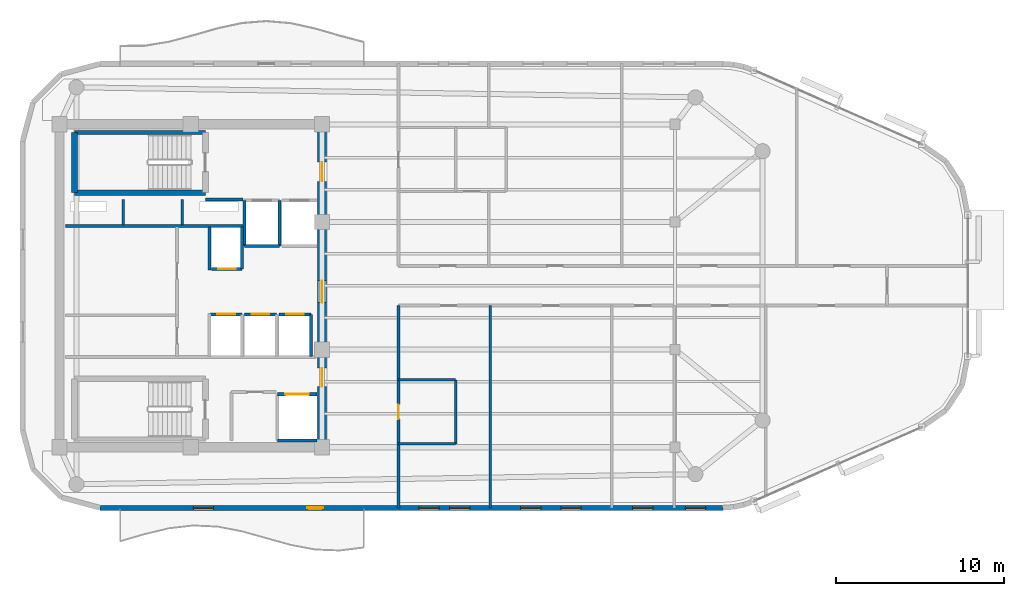
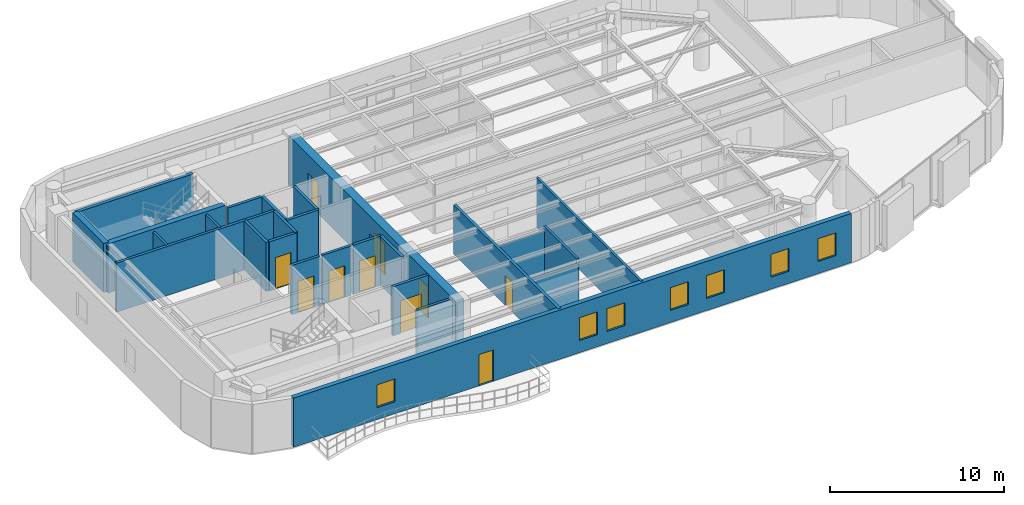
# One storey, part 8 of 14: 26 walls, 10 doors, 7 windows, 17 openings.
"""IFC4 building model written with IfcOpenShell, lengths in metres."""

from ifc_helpers import new_model, si_unit, direction, frame, frame_2d, origin, place, context, subcontext, project, spatial, rectangle, extrude, material, layer, layer_set, type_object, element, fill, save


model = new_model("IFC4")

# Units and contexts
model_context = context("Model", 3, precision=1e-05, world=origin(), true_north=direction((0.0, 1.0)))
body_context = subcontext(model_context, "Body", "Model", "MODEL_VIEW")
ifc_project = project(units=[si_unit("LENGTHUNIT", "METRE"), si_unit("AREAUNIT", "SQUARE_METRE"), si_unit("VOLUMEUNIT", "CUBIC_METRE"), si_unit("PLANEANGLEUNIT", "RADIAN"), si_unit("MASSUNIT", "GRAM", prefix="KILO")], contexts=[model_context])

# Site, building, storey
site_placement = place(None, origin())
site = spatial("IfcSite", under=ifc_project, at=site_placement, CompositionType="ELEMENT")
building_placement = place(site_placement, origin())
building = spatial("IfcBuilding", under=site, at=building_placement, Name="An Khanh Terracotta Commons", CompositionType="ELEMENT")
storey_placement = place(building_placement, frame((0.0, 0.0, 280.699951171875)))
storey = spatial("IfcBuildingStorey", under=building, at=storey_placement, Name="L73", CompositionType="ELEMENT", Elevation=280.699951171875)

# Wall, openings, doors
ifc_material_1 = material(Name="Concrete C50/60", Category="concrete")
ifc_layer_1 = layer(ifc_material_1, 0.550048828125, Name="Concrete C50/60")
ifc_layer_set_1 = layer_set([ifc_layer_1], Name="Concrete C50/60")
wall_type_1 = type_object("IfcWallType", Name="WALL-CORE-550", PredefinedType="SHEAR", material=ifc_layer_set_1)
wall_1_placement = place(storey_placement, frame((37.199951171875, 14.39990234375, 0.0), z_axis=(0.0, 0.0, 1.0), x_axis=(0.0, 1.0, 0.0)))
wall_1 = element("IfcWall", 1, at=wall_1_placement, inside=storey, type_object=wall_type_1, Name="L73 Core Wall CWALL-L73-E", PredefinedType="SHEAR", context=body_context, shape_type="SweptSolid", body=[
    extrude(rectangle(XDim=19.2001953125, YDim=0.550048828125, at=frame_2d((9.60009765625, 0.0))), origin(), (0.0, 0.0, 1.0), 3.449951171875),
])
opening_1_placement = place(wall_1_placement, frame((15.800048828125, 0.0, 0.0)))
opening_1 = element("IfcOpeningElement", 2, at=opening_1_placement, cuts=wall_1, Name="Opening D-FFL", PredefinedType="OPENING", context=body_context, shape_type="SweptSolid", body=[
    extrude(rectangle(XDim=1.14990234375, YDim=2.14990234375, at=frame_2d((0.574951171875, 1.074951171875))), frame((0.0, 0.284912109375, 0.0), z_axis=(0.0, -1.0, 0.0), x_axis=(1.0, 0.0, 0.0)), (0.0, 0.0, 1.0), 0.570068359375),
])
opening_2_placement = place(wall_1_placement, frame((3.60009765625, 0.0, 0.0)))
opening_2 = element("IfcOpeningElement", 3, at=opening_2_placement, cuts=wall_1, Name="Opening D-ST", PredefinedType="OPENING", context=body_context, shape_type="SweptSolid", body=[
    extrude(rectangle(XDim=1.10009765625, YDim=2.14990234375, at=frame_2d((0.550048828125, 1.074951171875))), frame((0.0, 0.284912109375, 0.0), z_axis=(0.0, -1.0, 0.0), x_axis=(1.0, 0.0, 0.0)), (0.0, 0.0, 1.0), 0.570068359375),
])
opening_3_placement = place(wall_1_placement, frame((8.60009765625, 0.0, 0.0)))
opening_3 = element("IfcOpeningElement", 4, at=opening_3_placement, cuts=wall_1, Name="Opening D-COR", PredefinedType="OPENING", context=body_context, shape_type="SweptSolid", body=[
    extrude(rectangle(XDim=1.300048828125, YDim=2.199951171875, at=frame_2d((0.64990234375, 1.10009765625))), frame((0.0, 0.284912109375, 0.0), z_axis=(0.0, -1.0, 0.0), x_axis=(1.0, 0.0, 0.0)), (0.0, 0.0, 1.0), 0.570068359375),
])
ifc_material_2 = material(Name="Fire-Rated Glazed Steel Double Door", Category="steel")
door_type_1 = type_object("IfcDoorType", Name="DOOR-CORR-1300", OperationType="NOTDEFINED", PredefinedType="DOOR", material=ifc_material_2)
door_1_placement = place(opening_3_placement, origin())
door_1 = element("IfcDoor", 5, at=door_1_placement, inside=storey, type_object=door_type_1, Name="L73 Passenger Lift Lobby Double Door", OperationType="DOUBLE_DOOR_SINGLE_SWING", OverallHeight=2.199951171875, OverallWidth=1.300048828125, PredefinedType="DOOR", context=body_context, shape_type="SweptSolid", body=[
    extrude(rectangle(XDim=1.300048828125, YDim=2.199951171875, at=frame_2d((0.64990234375, 1.10009765625))), frame((0.0, 0.02490234375, 0.0), z_axis=(0.0, -1.0, 0.0), x_axis=(1.0, 0.0, 0.0)), (0.0, 0.0, 1.0), 0.050048828125),
])
fill(opening_3, door_1)
ifc_material_3 = material(Name="Fire-Rated Steel Leaf and Vision Panel", Category="steel")
door_type_2 = type_object("IfcDoorType", Name="DOOR-FFL-1150", OperationType="NOTDEFINED", PredefinedType="DOOR", material=ifc_material_3)
door_2_placement = place(opening_1_placement, origin())
door_2 = element("IfcDoor", 6, at=door_2_placement, inside=storey, type_object=door_type_2, Name="L73 Firefighting Lift Lobby Fire Door", OperationType="SINGLE_SWING_RIGHT", OverallHeight=2.14990234375, OverallWidth=1.14990234375, PredefinedType="DOOR", context=body_context, shape_type="SweptSolid", body=[
    extrude(rectangle(XDim=1.14990234375, YDim=2.14990234375, at=frame_2d((0.574951171875, 1.074951171875))), frame((0.0, 0.02490234375, 0.0), z_axis=(0.0, -1.0, 0.0), x_axis=(1.0, 0.0, 0.0)), (0.0, 0.0, 1.0), 0.050048828125),
])
fill(opening_1, door_2)
ifc_material_4 = material(Name="Fire-Rated Steel Leaf and Frame", Category="steel")
door_type_3 = type_object("IfcDoorType", Name="DOOR-STAIR-1100", OperationType="NOTDEFINED", PredefinedType="DOOR", material=ifc_material_4)
door_3_placement = place(opening_2_placement, origin())
door_3 = element("IfcDoor", 7, at=door_3_placement, inside=storey, type_object=door_type_3, Name="L73 South Stair Lobby Fire Door", OperationType="SINGLE_SWING_LEFT", OverallHeight=2.14990234375, OverallWidth=1.10009765625, PredefinedType="DOOR", context=body_context, shape_type="SweptSolid", body=[
    extrude(rectangle(XDim=1.10009765625, YDim=2.14990234375, at=frame_2d((0.550048828125, 1.074951171875))), frame((0.0, 0.02490234375, 0.0), z_axis=(0.0, -1.0, 0.0), x_axis=(1.0, 0.0, 0.0)), (0.0, 0.0, 1.0), 0.050048828125),
])
fill(opening_2, door_3)

# Walls
ifc_material_5 = material(Name="Fire-Rated Gypsum Board on Steel Stud", Category="steel")
ifc_layer_2 = layer(ifc_material_5, 0.179931640625, Name="Fire-Rated Gypsum Board on Steel Stud")
ifc_layer_set_2 = layer_set([ifc_layer_2], Name="Fire-Rated Gypsum Board on Steel Stud")
wall_type_2 = type_object("IfcWallType", Name="WALL-CORR-180", PredefinedType="PARTITIONING", material=ifc_layer_set_2)
wall_2_placement = place(storey_placement, frame((30.27001953125, 29.1201171875, 0.0), z_axis=(0.0, 0.0, 1.0), x_axis=(1.0, 0.0, 0.0)))
element("IfcWall", 8, at=wall_2_placement, inside=storey, type_object=wall_type_2, Name="L73 Core Wall FFLW-L73-S", PredefinedType="PARTITIONING", context=body_context, shape_type="SweptSolid", body=[
    extrude(rectangle(XDim=2.239990234375, YDim=0.179931640625, at=frame_2d((1.1201171875, 0.0))), origin(), (0.0, 0.0, 1.0), 3.449951171875),
])
wall_3_placement = place(storey_placement, frame((21.949951171875, 27.5400390625, 0.0), z_axis=(0.0, 0.0, 1.0), x_axis=(1.0, 0.0, 0.0)))
element("IfcWall", 9, at=wall_3_placement, inside=storey, type_object=wall_type_2, Name="L73 Core Wall RSRW-L73-S", PredefinedType="PARTITIONING", context=body_context, shape_type="SweptSolid", body=[
    extrude(rectangle(XDim=10.56005859375, YDim=0.179931640625, at=frame_2d((5.280029296875, 0.0))), origin(), (0.0, 0.0, 1.0), 3.449951171875),
])
wall_4_placement = place(storey_placement, frame((34.679931640625, 26.35009765625, 0.0), z_axis=(0.0, 0.0, 1.0), x_axis=(-1.0, 0.0, 0.0)))
element("IfcWall", 10, at=wall_4_placement, inside=storey, type_object=wall_type_2, Name="L73 Core Wall LSH-L73-FFL-01-S", PredefinedType="PARTITIONING", context=body_context, shape_type="SweptSolid", body=[
    extrude(rectangle(XDim=2.079833984375, YDim=0.179931640625, at=frame_2d((1.0400390625, 0.0))), origin(), (0.0, 0.0, 1.0), 3.449951171875),
])
for number, where, z_axis, x_axis, name in (
    (11, (34.679931640625, 26.35009765625, 0.0), (0.0, 0.0, 1.0), (0.0, 1.0, 0.0), "L73 Core Wall LSH-L73-FFL-01-E"),
    (12, (32.60009765625, 29.080078125, 0.0), (0.0, 0.0, 1.0), (0.0, -1.0, 0.0), "L73 Core Wall LSH-L73-FFL-01-W"),
):
    element("IfcWall", number, at=place(storey_placement, frame(where, z_axis=z_axis, x_axis=x_axis)), inside=storey, type_object=wall_type_2, Name=name, PredefinedType="PARTITIONING", context=body_context, shape_type="SweptSolid", body=[
        extrude(rectangle(XDim=2.72998046875, YDim=0.179931640625, at=frame_2d((1.364990234375, 0.0))), origin(), (0.0, 0.0, 1.0), 3.449951171875),
    ])

# Wall, opening, door
wall_5_placement = place(storey_placement, frame((34.550048828125, 17.550048828125, 0.0), z_axis=(0.0, 0.0, 1.0), x_axis=(1.0, 0.0, 0.0)))
wall_5 = element("IfcWall", 13, at=wall_5_placement, inside=storey, type_object=wall_type_2, Name="L73 Core Wall LSH-L73-SVL-01-N", PredefinedType="PARTITIONING", context=body_context, shape_type="SweptSolid", body=[
    extrude(rectangle(XDim=2.349853515625, YDim=0.179931640625, at=frame_2d((1.1748046875, 0.0))), origin(), (0.0, 0.0, 1.0), 3.449951171875),
])
opening_4_placement = place(wall_5_placement, frame((0.47509765625, 0.0, 0.0)))
opening_4 = element("IfcOpeningElement", 14, at=opening_4_placement, cuts=wall_5, Name="Opening LD-SVL-01-L73", PredefinedType="OPENING", context=body_context, shape_type="SweptSolid", body=[
    extrude(rectangle(XDim=1.39990234375, YDim=2.300048828125, at=frame_2d((0.699951171875, 1.14990234375))), frame((0.0, 0.099853515625, 0.0), z_axis=(0.0, -1.0, 0.0), x_axis=(1.0, 0.0, 0.0)), (0.0, 0.0, 1.0), 0.199951171875),
])
ifc_material_6 = material(Name="Heavy-Duty Stainless Steel Goods Landing Door", Category="steel")
door_type_4 = type_object("IfcDoorType", Name="DOOR-LD-SVL-1400", OperationType="NOTDEFINED", PredefinedType="DOOR", material=ifc_material_6)
door_4_placement = place(opening_4_placement, origin())
door_4 = element("IfcDoor", 15, at=door_4_placement, inside=storey, type_object=door_type_4, Name="L73 Lift SVL-01 Sliding Landing Door", OperationType="DOUBLE_DOOR_SLIDING", OverallHeight=2.300048828125, OverallWidth=1.39990234375, PredefinedType="DOOR", context=body_context, shape_type="SweptSolid", body=[
    extrude(rectangle(XDim=1.39990234375, YDim=2.300048828125, at=frame_2d((0.699951171875, 1.14990234375))), frame((0.0, 0.02490234375, 0.0), z_axis=(0.0, -1.0, 0.0), x_axis=(1.0, 0.0, 0.0)), (0.0, 0.0, 1.0), 0.050048828125),
])
fill(opening_4, door_4)

# Wall
wall_6_placement = place(storey_placement, frame((36.89990234375, 14.800048828125, 0.0), z_axis=(0.0, 0.0, 1.0), x_axis=(-1.0, 0.0, 0.0)))
element("IfcWall", 16, at=wall_6_placement, inside=storey, type_object=wall_type_2, Name="L73 Core Wall LSH-L73-SVL-01-S", PredefinedType="PARTITIONING", context=body_context, shape_type="SweptSolid", body=[
    extrude(rectangle(XDim=2.349853515625, YDim=0.179931640625, at=frame_2d((1.1748046875, 0.0))), origin(), (0.0, 0.0, 1.0), 3.449951171875),
])

# Wall, opening, door
wall_7_placement = place(storey_placement, frame((32.4599609375, 25.0, 0.0), z_axis=(0.0, 0.0, 1.0), x_axis=(-1.0, 0.0, 0.0)))
wall_7 = element("IfcWall", 17, at=wall_7_placement, inside=storey, type_object=wall_type_2, Name="L73 Core Wall LSH-L73-PL-H1-S", PredefinedType="PARTITIONING", context=body_context, shape_type="SweptSolid", body=[
    extrude(rectangle(XDim=1.820068359375, YDim=0.179931640625, at=frame_2d((0.91015625, 0.0))), origin(), (0.0, 0.0, 1.0), 3.449951171875),
])
opening_5_placement = place(wall_7_placement, frame((0.385009765625, 0.0, 0.0)))
opening_5 = element("IfcOpeningElement", 18, at=opening_5_placement, cuts=wall_7, Name="Opening LD-PL-H1-L73", PredefinedType="OPENING", context=body_context, shape_type="SweptSolid", body=[
    extrude(rectangle(XDim=1.050048828125, YDim=2.199951171875, at=frame_2d((0.52490234375, 1.10009765625))), frame((0.0, 0.099853515625, 0.0), z_axis=(0.0, -1.0, 0.0), x_axis=(1.0, 0.0, 0.0)), (0.0, 0.0, 1.0), 0.199951171875),
])
ifc_material_7 = material(Name="Brushed Stainless Steel High-Rise Landing Door", Category="steel")
door_type_5 = type_object("IfcDoorType", Name="DOOR-LD-PAXH-1050", OperationType="NOTDEFINED", PredefinedType="DOOR", material=ifc_material_7)
door_5_placement = place(opening_5_placement, origin())
door_5 = element("IfcDoor", 19, at=door_5_placement, inside=storey, type_object=door_type_5, Name="L73 Lift PL-H1 Sliding Landing Door", OperationType="DOUBLE_DOOR_SLIDING", OverallHeight=2.199951171875, OverallWidth=1.050048828125, PredefinedType="DOOR", context=body_context, shape_type="SweptSolid", body=[
    extrude(rectangle(XDim=1.050048828125, YDim=2.199951171875, at=frame_2d((0.52490234375, 1.10009765625))), frame((0.0, 0.02490234375, 0.0), z_axis=(0.0, -1.0, 0.0), x_axis=(1.0, 0.0, 0.0)), (0.0, 0.0, 1.0), 0.050048828125),
])
fill(opening_5, door_5)

# Wall
wall_8_placement = place(storey_placement, frame((32.4599609375, 25.0, 0.0), z_axis=(0.0, 0.0, 1.0), x_axis=(0.0, 1.0, 0.0)))
element("IfcWall", 20, at=wall_8_placement, inside=storey, type_object=wall_type_2, Name="L73 Core Wall LSH-L73-PL-H1-E", PredefinedType="PARTITIONING", context=body_context, shape_type="SweptSolid", body=[
    extrude(rectangle(XDim=2.5, YDim=0.179931640625, at=frame_2d((1.25, 0.0))), origin(), (0.0, 0.0, 1.0), 3.449951171875),
])

# Wall, opening, door
wall_9_placement = place(storey_placement, frame((30.56005859375, 22.300048828125, 0.0), z_axis=(0.0, 0.0, 1.0), x_axis=(1.0, 0.0, 0.0)))
wall_9 = element("IfcWall", 21, at=wall_9_placement, inside=storey, type_object=wall_type_2, Name="L73 Core Wall LSH-L73-PL-H2-N", PredefinedType="PARTITIONING", context=body_context, shape_type="SweptSolid", body=[
    extrude(rectangle(XDim=1.89990234375, YDim=0.179931640625, at=frame_2d((0.949951171875, 0.0))), origin(), (0.0, 0.0, 1.0), 3.449951171875),
])
opening_6_placement = place(wall_9_placement, frame((0.425048828125, 0.0, 0.0)))
opening_6 = element("IfcOpeningElement", 22, at=opening_6_placement, cuts=wall_9, Name="Opening LD-PL-H2-L73", PredefinedType="OPENING", context=body_context, shape_type="SweptSolid", body=[
    extrude(rectangle(XDim=1.050048828125, YDim=2.199951171875, at=frame_2d((0.52490234375, 1.10009765625))), frame((0.0, 0.099853515625, 0.0), z_axis=(0.0, -1.0, 0.0), x_axis=(1.0, 0.0, 0.0)), (0.0, 0.0, 1.0), 0.199951171875),
])
door_6_placement = place(opening_6_placement, origin())
door_6 = element("IfcDoor", 23, at=door_6_placement, inside=storey, type_object=door_type_5, Name="L73 Lift PL-H2 Sliding Landing Door", OperationType="DOUBLE_DOOR_SLIDING", OverallHeight=2.199951171875, OverallWidth=1.050048828125, PredefinedType="DOOR", context=body_context, shape_type="SweptSolid", body=[
    extrude(rectangle(XDim=1.050048828125, YDim=2.199951171875, at=frame_2d((0.52490234375, 1.10009765625))), frame((0.0, 0.02490234375, 0.0), z_axis=(0.0, -1.0, 0.0), x_axis=(1.0, 0.0, 0.0)), (0.0, 0.0, 1.0), 0.050048828125),
])
fill(opening_6, door_6)

wall_10_placement = place(storey_placement, frame((32.60009765625, 22.300048828125, 0.0), z_axis=(0.0, 0.0, 1.0), x_axis=(1.0, 0.0, 0.0)))
wall_10 = element("IfcWall", 24, at=wall_10_placement, inside=storey, type_object=wall_type_2, Name="L73 Core Wall LSH-L73-PL-H3-N", PredefinedType="PARTITIONING", context=body_context, shape_type="SweptSolid", body=[
    extrude(rectangle(XDim=1.89990234375, YDim=0.179931640625, at=frame_2d((0.949951171875, 0.0))), origin(), (0.0, 0.0, 1.0), 3.449951171875),
])
opening_7_placement = place(wall_10_placement, frame((0.425048828125, 0.0, 0.0)))
opening_7 = element("IfcOpeningElement", 25, at=opening_7_placement, cuts=wall_10, Name="Opening LD-PL-H3-L73", PredefinedType="OPENING", context=body_context, shape_type="SweptSolid", body=[
    extrude(rectangle(XDim=1.050048828125, YDim=2.199951171875, at=frame_2d((0.52490234375, 1.10009765625))), frame((0.0, 0.099853515625, 0.0), z_axis=(0.0, -1.0, 0.0), x_axis=(1.0, 0.0, 0.0)), (0.0, 0.0, 1.0), 0.199951171875),
])
door_7_placement = place(opening_7_placement, origin())
door_7 = element("IfcDoor", 26, at=door_7_placement, inside=storey, type_object=door_type_5, Name="L73 Lift PL-H3 Sliding Landing Door", OperationType="DOUBLE_DOOR_SLIDING", OverallHeight=2.199951171875, OverallWidth=1.050048828125, PredefinedType="DOOR", context=body_context, shape_type="SweptSolid", body=[
    extrude(rectangle(XDim=1.050048828125, YDim=2.199951171875, at=frame_2d((0.52490234375, 1.10009765625))), frame((0.0, 0.02490234375, 0.0), z_axis=(0.0, -1.0, 0.0), x_axis=(1.0, 0.0, 0.0)), (0.0, 0.0, 1.0), 0.050048828125),
])
fill(opening_7, door_7)

wall_11_placement = place(storey_placement, frame((34.639892578125, 22.300048828125, 0.0), z_axis=(0.0, 0.0, 1.0), x_axis=(1.0, 0.0, 0.0)))
wall_11 = element("IfcWall", 27, at=wall_11_placement, inside=storey, type_object=wall_type_2, Name="L73 Core Wall LSH-L73-PL-H4-N", PredefinedType="PARTITIONING", context=body_context, shape_type="SweptSolid", body=[
    extrude(rectangle(XDim=1.900146484375, YDim=0.179931640625, at=frame_2d((0.9501953125, 0.0))), origin(), (0.0, 0.0, 1.0), 3.449951171875),
])
opening_8_placement = place(wall_11_placement, frame((0.425048828125, 0.0, 0.0)))
opening_8 = element("IfcOpeningElement", 28, at=opening_8_placement, cuts=wall_11, Name="Opening LD-PL-H4-L73", PredefinedType="OPENING", context=body_context, shape_type="SweptSolid", body=[
    extrude(rectangle(XDim=1.050048828125, YDim=2.199951171875, at=frame_2d((0.52490234375, 1.10009765625))), frame((0.0, 0.099853515625, 0.0), z_axis=(0.0, -1.0, 0.0), x_axis=(1.0, 0.0, 0.0)), (0.0, 0.0, 1.0), 0.199951171875),
])
door_8_placement = place(opening_8_placement, origin())
door_8 = element("IfcDoor", 29, at=door_8_placement, inside=storey, type_object=door_type_5, Name="L73 Lift PL-H4 Sliding Landing Door", OperationType="DOUBLE_DOOR_SLIDING", OverallHeight=2.199951171875, OverallWidth=1.050048828125, PredefinedType="DOOR", context=body_context, shape_type="SweptSolid", body=[
    extrude(rectangle(XDim=1.050048828125, YDim=2.199951171875, at=frame_2d((0.52490234375, 1.10009765625))), frame((0.0, 0.02490234375, 0.0), z_axis=(0.0, -1.0, 0.0), x_axis=(1.0, 0.0, 0.0)), (0.0, 0.0, 1.0), 0.050048828125),
])
fill(opening_8, door_8)

# Walls
wall_12_placement = place(storey_placement, frame((36.5400390625, 19.800048828125, 0.0), z_axis=(0.0, 0.0, 1.0), x_axis=(0.0, 1.0, 0.0)))
element("IfcWall", 30, at=wall_12_placement, inside=storey, type_object=wall_type_2, Name="L73 Core Wall LSH-L73-PL-H4-E", PredefinedType="PARTITIONING", context=body_context, shape_type="SweptSolid", body=[
    extrude(rectangle(XDim=2.5, YDim=0.179931640625, at=frame_2d((1.25, 0.0))), origin(), (0.0, 0.0, 1.0), 3.449951171875),
])
wall_13_placement = place(storey_placement, frame((30.52001953125, 24.949951171875, 0.0), z_axis=(0.0, 0.0, 1.0), x_axis=(0.0, 1.0, 0.0)))
element("IfcWall", 31, at=wall_13_placement, inside=storey, type_object=wall_type_2, Name="L73 Core Wall RECW-L73-BE1", PredefinedType="PARTITIONING", context=body_context, shape_type="SweptSolid", body=[
    extrude(rectangle(XDim=2.550048828125, YDim=0.179931640625, at=frame_2d((1.27490234375, 0.0))), origin(), (0.0, 0.0, 1.0), 3.449951171875),
])

# Wall, opening, door
wall_14_placement = place(storey_placement, frame((41.75, 10.800048828125, 0.0), z_axis=(0.0, 0.0, 1.0), x_axis=(0.0, 1.0, 0.0)))
wall_14 = element("IfcWall", 32, at=wall_14_placement, inside=storey, type_object=wall_type_2, Name="L73 Interior Partition IW-L73-E007", PredefinedType="PARTITIONING", context=body_context, shape_type="SweptSolid", body=[
    extrude(rectangle(XDim=12.02001953125, YDim=0.179931640625, at=frame_2d((6.010009765625, 0.0))), origin(), (0.0, 0.0, 1.0), 3.449951171875),
])
opening_9_placement = place(wall_14_placement, frame((5.27001953125, 0.0, 0.0)))
opening_9 = element("IfcOpeningElement", 33, at=opening_9_placement, cuts=wall_14, Name="Opening D-ENS", PredefinedType="OPENING", context=body_context, shape_type="SweptSolid", body=[
    extrude(rectangle(XDim=0.860107421875, YDim=2.10009765625, at=frame_2d((0.43017578125, 1.050048828125))), frame((0.0, 0.099853515625, 0.0), z_axis=(0.0, -1.0, 0.0), x_axis=(1.0, 0.0, 0.0)), (0.0, 0.0, 1.0), 0.199951171875),
])
ifc_material_8 = material(Name="Moisture-Resistant Hardwood Timber Leaf", Category="wood")
door_type_6 = type_object("IfcDoorType", Name="DOOR-BATH-860", OperationType="NOTDEFINED", PredefinedType="DOOR", material=ifc_material_8)
door_9_placement = place(opening_9_placement, origin())
door_9 = element("IfcDoor", 34, at=door_9_placement, inside=storey, type_object=door_type_6, Name="L73 SHW Resident Shared Shower and Washroom Door", OperationType="SINGLE_SWING_RIGHT", OverallHeight=2.10009765625, OverallWidth=0.860107421875, PredefinedType="DOOR", context=body_context, shape_type="SweptSolid", body=[
    extrude(rectangle(XDim=0.860107421875, YDim=2.10009765625, at=frame_2d((0.43017578125, 1.050048828125))), frame((0.0, 0.02490234375, 0.0), z_axis=(0.0, -1.0, 0.0), x_axis=(1.0, 0.0, 0.0)), (0.0, 0.0, 1.0), 0.050048828125),
])
fill(opening_9, door_9)

# Wall, openings, door, windows
ifc_material_9 = material(Name="Precast concrete C40/50", Category="concrete")
ifc_layer_3 = layer(ifc_material_9, 0.300048828125, Name="Precast concrete C40/50")
ifc_layer_set_3 = layer_set([ifc_layer_3], Name="Precast concrete C40/50")
wall_type_3 = type_object("IfcWallType", Name="WALL-EXT-300", PredefinedType="SOLIDWALL", material=ifc_layer_set_3)
wall_15_placement = place(storey_placement, frame((24.0, 10.800048828125, 0.0), z_axis=(0.0, 0.0, 1.0), x_axis=(1.0, 0.0, 0.0)))
wall_15 = element("IfcWall", 35, at=wall_15_placement, inside=storey, type_object=wall_type_3, Name="L73 Insulated Terracotta Exterior Wall 4", PredefinedType="SOLIDWALL", context=body_context, shape_type="SweptSolid", body=[
    extrude(rectangle(XDim=37.030029296875, YDim=0.300048828125, at=frame_2d((18.51513671875, 0.0))), origin(), (0.0, 0.0, 1.0), 3.449951171875),
])
opening_10_placement = place(wall_15_placement, frame((12.324951171875, 0.0, 0.0)))
opening_10 = element("IfcOpeningElement", 36, at=opening_10_placement, cuts=wall_15, Name="Opening D-BAL", PredefinedType="OPENING", context=body_context, shape_type="SweptSolid", body=[
    extrude(rectangle(XDim=0.949951171875, YDim=2.199951171875, at=frame_2d((0.47509765625, 1.10009765625))), frame((0.0, 0.159912109375, 0.0), z_axis=(0.0, -1.0, 0.0), x_axis=(1.0, 0.0, 0.0)), (0.0, 0.0, 1.0), 0.320068359375),
])
opening_11_placement = place(wall_15_placement, frame((5.550048828125, 0.0, 0.85009765625)))
opening_11 = element("IfcOpeningElement", 37, at=opening_11_placement, cuts=wall_15, Name="Opening W-05", PredefinedType="OPENING", context=body_context, shape_type="SweptSolid", body=[
    extrude(rectangle(XDim=1.199951171875, YDim=1.60009765625, at=frame_2d((0.60009765625, 0.800048828125))), frame((0.0, 0.159912109375, 0.0), z_axis=(0.0, -1.0, 0.0), x_axis=(1.0, 0.0, 0.0)), (0.0, 0.0, 1.0), 0.320068359375),
])
opening_12_placement = place(wall_15_placement, frame((18.969970703125, 0.0, 0.85009765625)))
opening_12 = element("IfcOpeningElement", 38, at=opening_12_placement, cuts=wall_15, Name="Opening W-05", PredefinedType="OPENING", context=body_context, shape_type="SweptSolid", body=[
    extrude(rectangle(XDim=1.199951171875, YDim=1.60009765625, at=frame_2d((0.60009765625, 0.800048828125))), frame((0.0, 0.159912109375, 0.0), z_axis=(0.0, -1.0, 0.0), x_axis=(1.0, 0.0, 0.0)), (0.0, 0.0, 1.0), 0.320068359375),
])
opening_13_placement = place(wall_15_placement, frame((20.791015625, 0.0, 0.85009765625)))
opening_13 = element("IfcOpeningElement", 39, at=opening_13_placement, cuts=wall_15, Name="Opening W-05", PredefinedType="OPENING", context=body_context, shape_type="SweptSolid", body=[
    extrude(rectangle(XDim=1.199951171875, YDim=1.60009765625, at=frame_2d((0.60009765625, 0.800048828125))), frame((0.0, 0.159912109375, 0.0), z_axis=(0.0, -1.0, 0.0), x_axis=(1.0, 0.0, 0.0)), (0.0, 0.0, 1.0), 0.320068359375),
])
opening_14_placement = place(wall_15_placement, frame((25.012939453125, 0.0, 0.85009765625)))
opening_14 = element("IfcOpeningElement", 40, at=opening_14_placement, cuts=wall_15, Name="Opening W-05", PredefinedType="OPENING", context=body_context, shape_type="SweptSolid", body=[
    extrude(rectangle(XDim=1.199951171875, YDim=1.60009765625, at=frame_2d((0.60009765625, 0.800048828125))), frame((0.0, 0.159912109375, 0.0), z_axis=(0.0, -1.0, 0.0), x_axis=(1.0, 0.0, 0.0)), (0.0, 0.0, 1.0), 0.320068359375),
])
opening_15_placement = place(wall_15_placement, frame((27.416015625, 0.0, 0.85009765625)))
opening_15 = element("IfcOpeningElement", 41, at=opening_15_placement, cuts=wall_15, Name="Opening W-05", PredefinedType="OPENING", context=body_context, shape_type="SweptSolid", body=[
    extrude(rectangle(XDim=1.199951171875, YDim=1.60009765625, at=frame_2d((0.60009765625, 0.800048828125))), frame((0.0, 0.159912109375, 0.0), z_axis=(0.0, -1.0, 0.0), x_axis=(1.0, 0.0, 0.0)), (0.0, 0.0, 1.0), 0.320068359375),
])
opening_16_placement = place(wall_15_placement, frame((31.675048828125, 0.0, 0.85009765625)))
opening_16 = element("IfcOpeningElement", 42, at=opening_16_placement, cuts=wall_15, Name="Opening W-05", PredefinedType="OPENING", context=body_context, shape_type="SweptSolid", body=[
    extrude(rectangle(XDim=1.199951171875, YDim=1.60009765625, at=frame_2d((0.60009765625, 0.800048828125))), frame((0.0, 0.159912109375, 0.0), z_axis=(0.0, -1.0, 0.0), x_axis=(1.0, 0.0, 0.0)), (0.0, 0.0, 1.0), 0.320068359375),
])
opening_17_placement = place(wall_15_placement, frame((34.805908203125, 0.0, 0.85009765625)))
opening_17 = element("IfcOpeningElement", 43, at=opening_17_placement, cuts=wall_15, Name="Opening W-05", PredefinedType="OPENING", context=body_context, shape_type="SweptSolid", body=[
    extrude(rectangle(XDim=1.199951171875, YDim=1.60009765625, at=frame_2d((0.60009765625, 0.800048828125))), frame((0.0, 0.159912109375, 0.0), z_axis=(0.0, -1.0, 0.0), x_axis=(1.0, 0.0, 0.0)), (0.0, 0.0, 1.0), 0.320068359375),
])
ifc_material_10 = material(Name="Thermally Broken Aluminium and Low-E Glass", Category="aluminium")
door_type_7 = type_object("IfcDoorType", Name="DOOR-BALC-950", OperationType="NOTDEFINED", PredefinedType="DOOR", material=ifc_material_10)
door_10_placement = place(opening_10_placement, origin())
door_10 = element("IfcDoor", 44, at=door_10_placement, inside=storey, type_object=door_type_7, Name="L73 S Wave Balcony Glazed Door", OperationType="SINGLE_SWING_LEFT", OverallHeight=2.199951171875, OverallWidth=0.949951171875, PredefinedType="DOOR", context=body_context, shape_type="SweptSolid", body=[
    extrude(rectangle(XDim=0.949951171875, YDim=2.199951171875, at=frame_2d((0.47509765625, 1.10009765625))), frame((0.0, 0.02490234375, 0.0), z_axis=(0.0, -1.0, 0.0), x_axis=(1.0, 0.0, 0.0)), (0.0, 0.0, 1.0), 0.050048828125),
])
fill(opening_10, door_10)
window_type = type_object("IfcWindowType", Name="WIN-Z5-1200x1600", PartitioningType="SINGLE_PANEL", PredefinedType="WINDOW", material=ifc_material_10)
window_1_placement = place(opening_11_placement, origin())
window_1 = element("IfcWindow", 45, at=window_1_placement, inside=storey, type_object=window_type, Name="L73 Operable Casement Window 4.1", OverallHeight=1.60009765625, OverallWidth=1.199951171875, PartitioningType="SINGLE_PANEL", PredefinedType="WINDOW", context=body_context, shape_type="SweptSolid", body=[
    extrude(rectangle(XDim=1.199951171875, YDim=1.60009765625, at=frame_2d((0.60009765625, 0.800048828125))), frame((0.0, 0.030029296875, 0.0), z_axis=(0.0, -1.0, 0.0), x_axis=(1.0, 0.0, 0.0)), (0.0, 0.0, 1.0), 0.06005859375),
])
fill(opening_11, window_1)
window_2_placement = place(opening_12_placement, origin())
window_2 = element("IfcWindow", 46, at=window_2_placement, inside=storey, type_object=window_type, Name="L73 Operable Casement Window 4.2", OverallHeight=1.60009765625, OverallWidth=1.199951171875, PartitioningType="SINGLE_PANEL", PredefinedType="WINDOW", context=body_context, shape_type="SweptSolid", body=[
    extrude(rectangle(XDim=1.199951171875, YDim=1.60009765625, at=frame_2d((0.60009765625, 0.800048828125))), frame((0.0, 0.030029296875, 0.0), z_axis=(0.0, -1.0, 0.0), x_axis=(1.0, 0.0, 0.0)), (0.0, 0.0, 1.0), 0.06005859375),
])
fill(opening_12, window_2)
window_3_placement = place(opening_13_placement, origin())
window_3 = element("IfcWindow", 47, at=window_3_placement, inside=storey, type_object=window_type, Name="L73 Operable Casement Window 4.3", OverallHeight=1.60009765625, OverallWidth=1.199951171875, PartitioningType="SINGLE_PANEL", PredefinedType="WINDOW", context=body_context, shape_type="SweptSolid", body=[
    extrude(rectangle(XDim=1.199951171875, YDim=1.60009765625, at=frame_2d((0.60009765625, 0.800048828125))), frame((0.0, 0.030029296875, 0.0), z_axis=(0.0, -1.0, 0.0), x_axis=(1.0, 0.0, 0.0)), (0.0, 0.0, 1.0), 0.06005859375),
])
fill(opening_13, window_3)
window_4_placement = place(opening_14_placement, origin())
window_4 = element("IfcWindow", 48, at=window_4_placement, inside=storey, type_object=window_type, Name="L73 Operable Casement Window 4.4", OverallHeight=1.60009765625, OverallWidth=1.199951171875, PartitioningType="SINGLE_PANEL", PredefinedType="WINDOW", context=body_context, shape_type="SweptSolid", body=[
    extrude(rectangle(XDim=1.199951171875, YDim=1.60009765625, at=frame_2d((0.60009765625, 0.800048828125))), frame((0.0, 0.030029296875, 0.0), z_axis=(0.0, -1.0, 0.0), x_axis=(1.0, 0.0, 0.0)), (0.0, 0.0, 1.0), 0.06005859375),
])
fill(opening_14, window_4)
window_5_placement = place(opening_15_placement, origin())
window_5 = element("IfcWindow", 49, at=window_5_placement, inside=storey, type_object=window_type, Name="L73 Operable Casement Window 4.5", OverallHeight=1.60009765625, OverallWidth=1.199951171875, PartitioningType="SINGLE_PANEL", PredefinedType="WINDOW", context=body_context, shape_type="SweptSolid", body=[
    extrude(rectangle(XDim=1.199951171875, YDim=1.60009765625, at=frame_2d((0.60009765625, 0.800048828125))), frame((0.0, 0.030029296875, 0.0), z_axis=(0.0, -1.0, 0.0), x_axis=(1.0, 0.0, 0.0)), (0.0, 0.0, 1.0), 0.06005859375),
])
fill(opening_15, window_5)
window_6_placement = place(opening_16_placement, origin())
window_6 = element("IfcWindow", 50, at=window_6_placement, inside=storey, type_object=window_type, Name="L73 Operable Casement Window 4.6", OverallHeight=1.60009765625, OverallWidth=1.199951171875, PartitioningType="SINGLE_PANEL", PredefinedType="WINDOW", context=body_context, shape_type="SweptSolid", body=[
    extrude(rectangle(XDim=1.199951171875, YDim=1.60009765625, at=frame_2d((0.60009765625, 0.800048828125))), frame((0.0, 0.030029296875, 0.0), z_axis=(0.0, -1.0, 0.0), x_axis=(1.0, 0.0, 0.0)), (0.0, 0.0, 1.0), 0.06005859375),
])
fill(opening_16, window_6)
window_7_placement = place(opening_17_placement, origin())
window_7 = element("IfcWindow", 51, at=window_7_placement, inside=storey, type_object=window_type, Name="L73 Operable Casement Window 4.7", OverallHeight=1.60009765625, OverallWidth=1.199951171875, PartitioningType="SINGLE_PANEL", PredefinedType="WINDOW", context=body_context, shape_type="SweptSolid", body=[
    extrude(rectangle(XDim=1.199951171875, YDim=1.60009765625, at=frame_2d((0.60009765625, 0.800048828125))), frame((0.0, 0.030029296875, 0.0), z_axis=(0.0, -1.0, 0.0), x_axis=(1.0, 0.0, 0.0)), (0.0, 0.0, 1.0), 0.06005859375),
])
fill(opening_17, window_7)

# Walls
ifc_material_11 = material(Name="Acoustic Gypsum Board Partition")
ifc_layer_4 = layer(ifc_material_11, 0.14990234375, Name="Acoustic Gypsum Board Partition")
ifc_layer_set_4 = layer_set([ifc_layer_4], Name="Acoustic Gypsum Board Partition")
wall_type_4 = type_object("IfcWallType", Name="WALL-PART-150", PredefinedType="PARTITIONING", material=ifc_layer_set_4)
for number, where, z_axis, x_axis, name in (
    (52, (25.39990234375, 27.60009765625, 0.0), (0.0, 0.0, 1.0), (0.0, 1.0, 0.0), "L73 Core Wall RSRW-L73-D1"),
    (53, (28.89990234375, 27.60009765625, 0.0), (0.0, 0.0, 1.0), (0.0, 1.0, 0.0), "L73 Core Wall RSRW-L73-D2"),
):
    element("IfcWall", number, at=place(storey_placement, frame(where, z_axis=z_axis, x_axis=x_axis)), inside=storey, type_object=wall_type_4, Name=name, PredefinedType="PARTITIONING", context=body_context, shape_type="SweptSolid", body=[
        extrude(rectangle(XDim=1.52001953125, YDim=0.14990234375, at=frame_2d((0.760009765625, 0.0))), origin(), (0.0, 0.0, 1.0), 3.449951171875),
    ])
wall_16_placement = place(storey_placement, frame((41.75, 14.60009765625, 0.0), z_axis=(0.0, 0.0, 1.0), x_axis=(1.0, 0.0, 0.0)))
element("IfcWall", 54, at=wall_16_placement, inside=storey, type_object=wall_type_4, Name="L73 Interior Partition IW-L73-E001", PredefinedType="PARTITIONING", context=body_context, shape_type="SweptSolid", body=[
    extrude(rectangle(XDim=3.39990234375, YDim=0.14990234375, at=frame_2d((1.699951171875, 0.0))), origin(), (0.0, 0.0, 1.0), 3.092041015625),
])
wall_17_placement = place(storey_placement, frame((41.75, 18.39990234375, 0.0), z_axis=(0.0, 0.0, 1.0), x_axis=(1.0, 0.0, 0.0)))
element("IfcWall", 55, at=wall_17_placement, inside=storey, type_object=wall_type_4, Name="L73 Interior Partition IW-L73-E002", PredefinedType="PARTITIONING", context=body_context, shape_type="SweptSolid", body=[
    extrude(rectangle(XDim=3.39990234375, YDim=0.14990234375, at=frame_2d((1.699951171875, 0.0))), origin(), (0.0, 0.0, 1.0), 3.132080078125),
])
wall_18_placement = place(storey_placement, frame((45.14990234375, 14.60009765625, 0.0), z_axis=(0.0, 0.0, 1.0), x_axis=(0.0, 1.0, 0.0)))
element("IfcWall", 56, at=wall_18_placement, inside=storey, type_object=wall_type_4, Name="L73 Interior Partition IW-L73-E009", PredefinedType="PARTITIONING", context=body_context, shape_type="SweptSolid", body=[
    extrude(rectangle(XDim=3.7998046875, YDim=0.14990234375, at=frame_2d((1.89990234375, 0.0))), origin(), (0.0, 0.0, 1.0), 3.449951171875),
])
wall_19_placement = place(storey_placement, frame((47.2109375, 10.800048828125, 0.0), z_axis=(0.0, 0.0, 1.0), x_axis=(0.0, 1.0, 0.0)))
element("IfcWall", 57, at=wall_19_placement, inside=storey, type_object=wall_type_4, Name="L73 Interior Partition IW-L73-E011", PredefinedType="PARTITIONING", context=body_context, shape_type="SweptSolid", body=[
    extrude(rectangle(XDim=12.02001953125, YDim=0.14990234375, at=frame_2d((6.010009765625, 0.0))), origin(), (0.0, 0.0, 1.0), 3.449951171875),
])
ifc_material_12 = material(Name="Acoustic Double-Stud Gypsum and Mineral Wool")
ifc_layer_5 = layer(ifc_material_12, 0.219970703125, Name="Acoustic Double-Stud Gypsum and Mineral Wool")
ifc_layer_set_5 = layer_set([ifc_layer_5], Name="Acoustic Double-Stud Gypsum and Mineral Wool")
wall_type_5 = type_object("IfcWallType", Name="WALL-PARTY-220", PredefinedType="PARTITIONING", material=ifc_layer_set_5)
wall_20_placement = place(storey_placement, frame((22.47998046875, 33.110107421875, 0.0), z_axis=(0.0, 0.0, 1.0), x_axis=(1.0, 0.0, 0.0)))
element("IfcWall", 58, at=wall_20_placement, inside=storey, type_object=wall_type_5, Name="L73 Core Wall STW-L73-N-N", PredefinedType="PARTITIONING", context=body_context, shape_type="SweptSolid", body=[
    extrude(rectangle(XDim=7.7900390625, YDim=0.219970703125, at=frame_2d((3.89501953125, 0.0))), origin(), (0.0, 0.0, 1.0), 3.449951171875),
])
ifc_layer_6 = layer(ifc_material_1, 0.35009765625, Name="Concrete C50/60")
ifc_layer_set_6 = layer_set([ifc_layer_6], Name="Concrete C50/60")
wall_type_6 = type_object("IfcWallType", Name="WALL-SHAFT-350", PredefinedType="SOLIDWALL", material=ifc_layer_set_6)
wall_21_placement = place(storey_placement, frame((22.47998046875, 29.530029296875, 0.0), z_axis=(0.0, 0.0, 1.0), x_axis=(1.0, 0.0, 0.0)))
element("IfcWall", 59, at=wall_21_placement, inside=storey, type_object=wall_type_6, Name="L73 Core Wall STW-L73-N-S", PredefinedType="SOLIDWALL", context=body_context, shape_type="SweptSolid", body=[
    extrude(rectangle(XDim=7.7900390625, YDim=0.35009765625, at=frame_2d((3.89501953125, 0.0))), origin(), (0.0, 0.0, 1.0), 3.449951171875),
])
wall_22_placement = place(storey_placement, frame((22.47998046875, 29.530029296875, 0.0), z_axis=(0.0, 0.0, 1.0), x_axis=(0.0, 1.0, 0.0)))
element("IfcWall", 60, at=wall_22_placement, inside=storey, type_object=wall_type_6, Name="L73 Core Wall STW-L73-N-W", PredefinedType="SOLIDWALL", context=body_context, shape_type="SweptSolid", body=[
    extrude(rectangle(XDim=3.580078125, YDim=0.35009765625, at=frame_2d((1.7900390625, 0.0))), origin(), (0.0, 0.0, 1.0), 3.449951171875),
])

save(model, "model.ifc")
